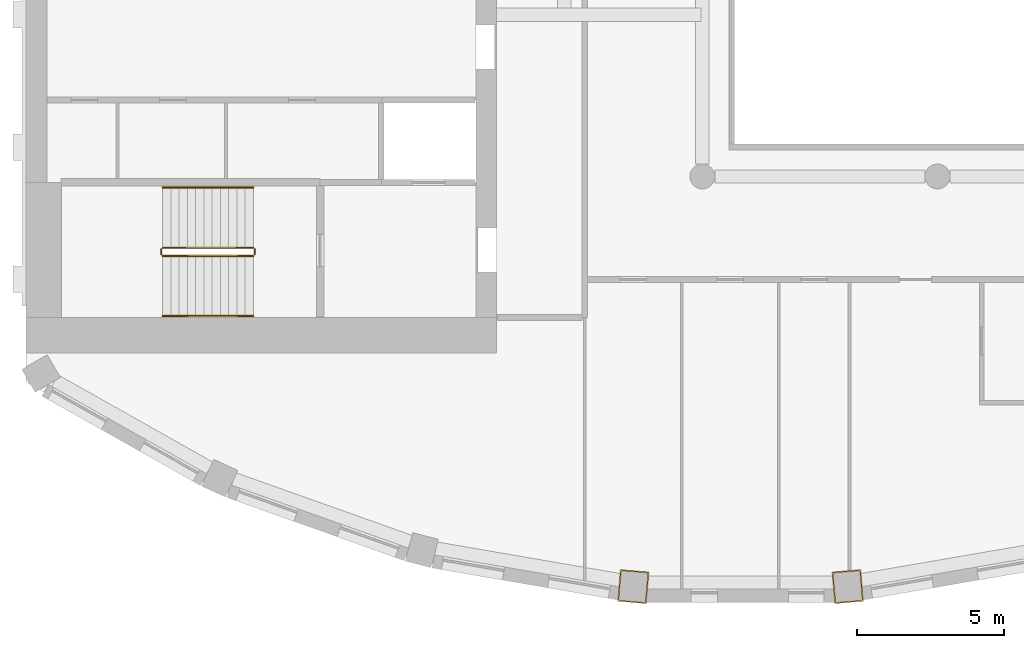
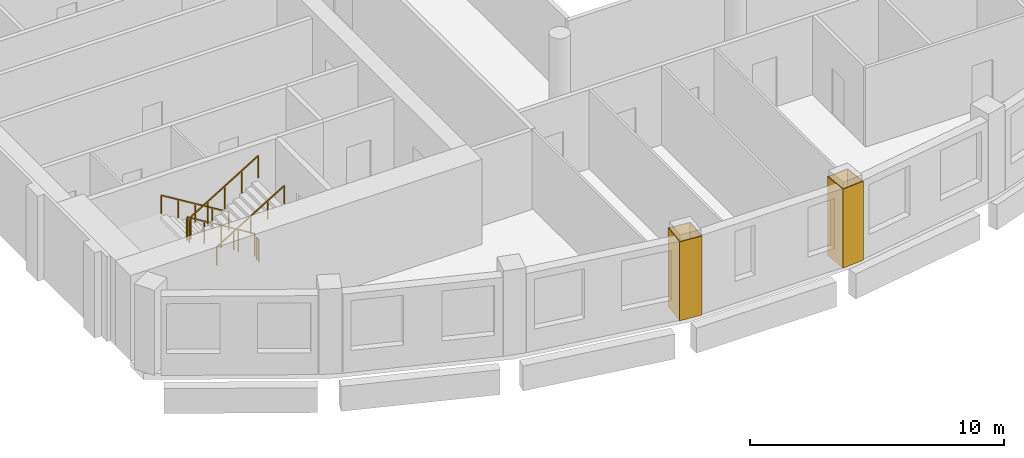
# One storey, part 10 of 14: 6 railings, 2 coverings.
"""IFC4 building model written with IfcOpenShell, lengths in metres."""

from ifc_helpers import new_model, si_unit, direction, frame, origin, origin_2d, place, context, subcontext, project, spatial, polyline, rectangle, outline, extrude, material, layer, layer_set, type_object, element, save


model = new_model("IFC4")

# Units and contexts
model_context = context("Model", 3, precision=1e-05, world=origin(), true_north=direction((0.0, 1.0)))
body_context = subcontext(model_context, "Body", "Model", "MODEL_VIEW")
ifc_project = project(units=[si_unit("LENGTHUNIT", "METRE"), si_unit("AREAUNIT", "SQUARE_METRE"), si_unit("VOLUMEUNIT", "CUBIC_METRE"), si_unit("PLANEANGLEUNIT", "RADIAN"), si_unit("MASSUNIT", "GRAM", prefix="KILO")], contexts=[model_context])

# Site, building, storey
site_placement = place(None, origin())
site = spatial("IfcSite", under=ifc_project, at=site_placement, CompositionType="ELEMENT")
building_placement = place(site_placement, origin())
building = spatial("IfcBuilding", under=site, at=building_placement, Name="Cypress Arch Tower", CompositionType="ELEMENT")
storey_placement = place(building_placement, frame((0.0, 0.0, 255.699951171875)))
storey = spatial("IfcBuildingStorey", under=building, at=storey_placement, Name="L57", CompositionType="ELEMENT", Elevation=255.699951171875)

# Coverings
ifc_material_1 = material(Name="Painted plasterboard column casing")
ifc_layer = layer(ifc_material_1, 0.0400390625)
ifc_layer_set = layer_set([ifc_layer], Name="Column casing CK40")
covering_type = type_object("IfcCoveringType", Name="Column casing CK40", PredefinedType="CLADDING", material=ifc_layer_set)
covering_1_placement = place(storey_placement, origin())
element("IfcCovering", 1, at=covering_1_placement, inside=storey, type_object=covering_type, Name="Column casing L57 CC14", PredefinedType="CLADDING", context=body_context, shape_type="SweptSolid", body=[
    extrude(outline(polyline([(-9.881103515625, -24.44970703125), (-9.789306640625, -23.373779296875), (-8.812744140625, -23.457275390625), (-8.90478515625, -24.533203125), (-9.881103515625, -24.44970703125)]), holes=[polyline([(-9.837890625, -24.413330078125), (-8.941162109375, -24.489990234375), (-8.85595703125, -23.49365234375), (-9.752685546875, -23.4169921875), (-9.837890625, -24.413330078125)])]), origin(), (0.0, 0.0, 1.0), 3.800048828125),
])
covering_2_placement = place(storey_placement, origin())
element("IfcCovering", 2, at=covering_2_placement, inside=storey, type_object=covering_type, Name="Column casing L57 CC15", PredefinedType="CLADDING", context=body_context, shape_type="SweptSolid", body=[
    extrude(outline(polyline([(-2.495361328125, -24.533203125), (-2.587158203125, -23.457275390625), (-1.61083984375, -23.373779296875), (-1.518798828125, -24.44970703125), (-2.495361328125, -24.533203125)]), holes=[polyline([(-2.458740234375, -24.489990234375), (-1.56201171875, -24.413330078125), (-1.647216796875, -23.4169921875), (-2.5439453125, -23.49365234375), (-2.458740234375, -24.489990234375)])]), origin(), (0.0, 0.0, 1.0), 3.800048828125),
])

# Railings
ifc_material_2 = material(Name="Black powder-coated steel square bar 48 mm", Category="steel")
railing_type_1 = type_object("IfcRailingType", Name="Stair handrail HR1", PredefinedType="HANDRAIL", material=ifc_material_2)
railing_1_placement = place(storey_placement, frame((-22.27490234375, -10.375, 0.1708984375)))
element("IfcRailing", 3, at=railing_1_placement, inside=storey, type_object=railing_type_1, Name="L57 A stair handrail 1", PredefinedType="HANDRAIL", context=body_context, shape_type="SweptSolid", body=[
    extrude(rectangle(XDim=0.048095703125, YDim=0.048095703125, at=origin_2d()), frame((0.0, 0.0, 0.8759765625), z_axis=(-0.853666305674, 0.0, 0.52082035152), x_axis=(0.0, -1.0, 0.0)), (0.0, 0.0, 1.0), 3.608154296875),
    extrude(rectangle(XDim=0.0419921875, YDim=0.0419921875, at=origin_2d()), origin(), (0.0, 0.0, 1.0), 0.851806640625),
    extrude(rectangle(XDim=0.0419921875, YDim=0.0419921875, at=origin_2d()), frame((-0.77001953125, 0.0, 0.4697265625)), (0.0, 0.0, 1.0), 0.851806640625),
    extrude(rectangle(XDim=0.0419921875, YDim=0.0419921875, at=origin_2d()), frame((-1.5400390625, 0.0, 0.939453125)), (0.0, 0.0, 1.0), 0.851806640625),
    extrude(rectangle(XDim=0.0419921875, YDim=0.0419921875, at=origin_2d()), frame((-2.31005859375, 0.0, 1.409423828125)), (0.0, 0.0, 1.0), 0.851806640625),
    extrude(rectangle(XDim=0.0419921875, YDim=0.0419921875, at=origin_2d()), frame((-3.080078125, 0.0, 1.879150390625)), (0.0, 0.0, 1.0), 0.851806640625),
])
railing_2_placement = place(storey_placement, frame((-25.35498046875, -14.75, 2.220947265625)))
element("IfcRailing", 4, at=railing_2_placement, inside=storey, type_object=railing_type_1, Name="L57 A stair handrail 2", PredefinedType="HANDRAIL", context=body_context, shape_type="SweptSolid", body=[
    extrude(rectangle(XDim=0.048095703125, YDim=0.048095703125, at=origin_2d()), frame((0.0, 0.0, 0.8759765625), z_axis=(0.853666305674, 0.0, 0.52082035152), x_axis=(0.0, 1.0, 0.0)), (0.0, 0.0, 1.0), 3.608154296875),
    extrude(rectangle(XDim=0.0419921875, YDim=0.0419921875, at=origin_2d()), origin(), (0.0, 0.0, 1.0), 0.851806640625),
    extrude(rectangle(XDim=0.0419921875, YDim=0.0419921875, at=origin_2d()), frame((0.77001953125, 0.0, 0.4697265625)), (0.0, 0.0, 1.0), 0.851806640625),
    extrude(rectangle(XDim=0.0419921875, YDim=0.0419921875, at=origin_2d()), frame((1.5400390625, 0.0, 0.939453125)), (0.0, 0.0, 1.0), 0.851806640625),
    extrude(rectangle(XDim=0.0419921875, YDim=0.0419921875, at=origin_2d()), frame((2.31005859375, 0.0, 1.409423828125)), (0.0, 0.0, 1.0), 0.851806640625),
    extrude(rectangle(XDim=0.0419921875, YDim=0.0419921875, at=origin_2d()), frame((3.080078125, 0.0, 1.879150390625)), (0.0, 0.0, 1.0), 0.851806640625),
])
ifc_material_3 = material(Name="Black powder-coated steel balusters", Category="steel")
railing_type_2 = type_object("IfcRailingType", Name="Stair well guard G1", PredefinedType="GUARDRAIL", material=ifc_material_3)
railing_3_placement = place(storey_placement, frame((-22.27490234375, -12.425048828125, 0.1708984375)))
element("IfcRailing", 5, at=railing_3_placement, inside=storey, type_object=railing_type_2, Name="L57 A stair guard 1", PredefinedType="GUARDRAIL", context=body_context, shape_type="SweptSolid", body=[
    extrude(rectangle(XDim=0.048095703125, YDim=0.048095703125, at=origin_2d()), frame((0.0, 0.0, 1.076171875), z_axis=(-0.853666305674, 0.0, 0.52082035152), x_axis=(0.0, -1.0, 0.0)), (0.0, 0.0, 1.0), 3.608154296875),
    extrude(rectangle(XDim=0.0419921875, YDim=0.0419921875, at=origin_2d()), origin(), (0.0, 0.0, 1.0), 1.052001953125),
    extrude(rectangle(XDim=0.0419921875, YDim=0.0419921875, at=origin_2d()), frame((-0.77001953125, 0.0, 0.4697265625)), (0.0, 0.0, 1.0), 1.052001953125),
    extrude(rectangle(XDim=0.0419921875, YDim=0.0419921875, at=origin_2d()), frame((-1.5400390625, 0.0, 0.939453125)), (0.0, 0.0, 1.0), 1.052001953125),
    extrude(rectangle(XDim=0.0419921875, YDim=0.0419921875, at=origin_2d()), frame((-2.31005859375, 0.0, 1.409423828125)), (0.0, 0.0, 1.0), 1.052001953125),
    extrude(rectangle(XDim=0.0419921875, YDim=0.0419921875, at=origin_2d()), frame((-3.080078125, 0.0, 1.879150390625)), (0.0, 0.0, 1.0), 1.052001953125),
])
railing_4_placement = place(storey_placement, frame((-25.405029296875, -12.47509765625, 2.050048828125)))
element("IfcRailing", 6, at=railing_4_placement, inside=storey, type_object=railing_type_2, Name="L57 A stair guard 2", PredefinedType="GUARDRAIL", context=body_context, shape_type="SweptSolid", body=[
    extrude(rectangle(XDim=0.048095703125, YDim=0.048095703125, at=origin_2d()), frame((0.0, 0.0, 1.076171875), z_axis=(0.0, -1.0, 0.0), x_axis=(1.0, 0.0, 0.0)), (0.0, 0.0, 1.0), 0.1748046875),
    extrude(rectangle(XDim=0.0419921875, YDim=0.0419921875, at=origin_2d()), origin(), (0.0, 0.0, 1.0), 1.052001953125),
    extrude(rectangle(XDim=0.0419921875, YDim=0.0419921875, at=origin_2d()), frame((0.0, -0.1748046875, 0.0)), (0.0, 0.0, 1.0), 1.052001953125),
])
railing_5_placement = place(storey_placement, frame((-25.35498046875, -12.699951171875, 2.220947265625)))
element("IfcRailing", 7, at=railing_5_placement, inside=storey, type_object=railing_type_2, Name="L57 A stair guard 3", PredefinedType="GUARDRAIL", context=body_context, shape_type="SweptSolid", body=[
    extrude(rectangle(XDim=0.048095703125, YDim=0.048095703125, at=origin_2d()), frame((0.0, 0.0, 1.076171875), z_axis=(0.853666305674, 0.0, 0.52082035152), x_axis=(0.0, 1.0, 0.0)), (0.0, 0.0, 1.0), 3.608154296875),
    extrude(rectangle(XDim=0.0419921875, YDim=0.0419921875, at=origin_2d()), origin(), (0.0, 0.0, 1.0), 1.052001953125),
    extrude(rectangle(XDim=0.0419921875, YDim=0.0419921875, at=origin_2d()), frame((0.77001953125, 0.0, 0.4697265625)), (0.0, 0.0, 1.0), 1.052001953125),
    extrude(rectangle(XDim=0.0419921875, YDim=0.0419921875, at=origin_2d()), frame((1.5400390625, 0.0, 0.939453125)), (0.0, 0.0, 1.0), 1.052001953125),
    extrude(rectangle(XDim=0.0419921875, YDim=0.0419921875, at=origin_2d()), frame((2.31005859375, 0.0, 1.409423828125)), (0.0, 0.0, 1.0), 1.052001953125),
    extrude(rectangle(XDim=0.0419921875, YDim=0.0419921875, at=origin_2d()), frame((3.080078125, 0.0, 1.879150390625)), (0.0, 0.0, 1.0), 1.052001953125),
])
railing_6_placement = place(storey_placement, frame((-22.22509765625, -12.47509765625, 0.0)))
element("IfcRailing", 8, at=railing_6_placement, inside=storey, type_object=railing_type_2, Name="L57 A stair guard 4", PredefinedType="GUARDRAIL", context=body_context, shape_type="SweptSolid", body=[
    extrude(rectangle(XDim=0.048095703125, YDim=0.048095703125, at=origin_2d()), frame((0.0, 0.0, 1.076171875), z_axis=(0.0, -1.0, 0.0), x_axis=(1.0, 0.0, 0.0)), (0.0, 0.0, 1.0), 0.1748046875),
    extrude(rectangle(XDim=0.0419921875, YDim=0.0419921875, at=origin_2d()), origin(), (0.0, 0.0, 1.0), 1.052001953125),
    extrude(rectangle(XDim=0.0419921875, YDim=0.0419921875, at=origin_2d()), frame((0.0, -0.1748046875, 0.0)), (0.0, 0.0, 1.0), 1.052001953125),
])

save(model, "model.ifc")
